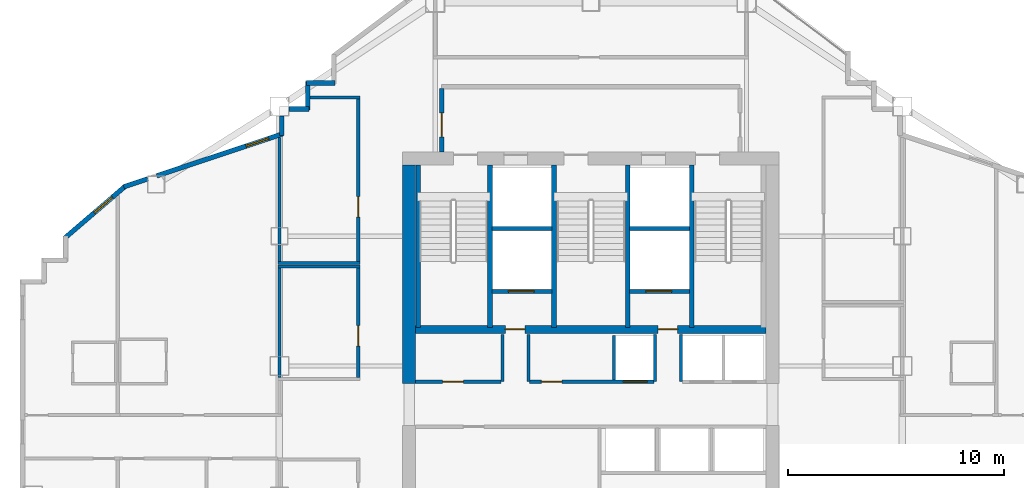
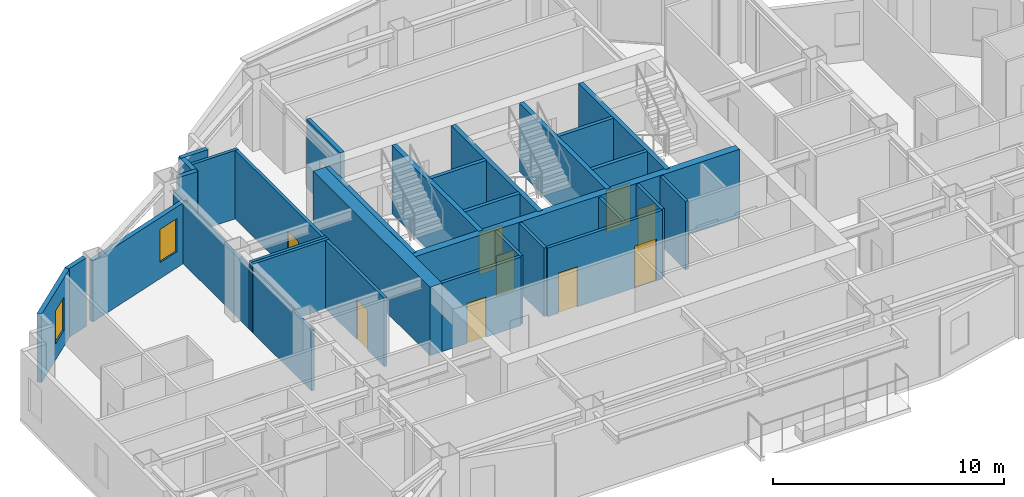
# One storey, part 6 of 11: 33 walls, 10 doors, 2 windows, 12 openings.
"""IFC4 building model written with IfcOpenShell, lengths in metres."""

from ifc_helpers import new_model, si_unit, direction, frame, frame_2d, origin, place, context, subcontext, project, spatial, rectangle, extrude, material, layer, layer_set, type_object, element, fill, save


model = new_model("IFC4")

# Units and contexts
model_context = context("Model", 3, precision=1e-05, world=origin(), true_north=direction((0.0, 1.0)))
body_context = subcontext(model_context, "Body", "Model", "MODEL_VIEW")
ifc_project = project(units=[si_unit("LENGTHUNIT", "METRE"), si_unit("AREAUNIT", "SQUARE_METRE"), si_unit("VOLUMEUNIT", "CUBIC_METRE"), si_unit("PLANEANGLEUNIT", "RADIAN"), si_unit("MASSUNIT", "GRAM", prefix="KILO")], contexts=[model_context])

# Site, building, storey
site_placement = place(None, origin())
site = spatial("IfcSite", under=ifc_project, at=site_placement, CompositionType="ELEMENT")
building_placement = place(site_placement, origin())
building = spatial("IfcBuilding", under=site, at=building_placement, Name="Haolan Belvedere Tower", CompositionType="ELEMENT")
storey_placement = place(building_placement, frame((0.0, 0.0, 199.39990234375)))
storey = spatial("IfcBuildingStorey", under=building, at=storey_placement, Name="L50", CompositionType="ELEMENT", Elevation=199.39990234375)

# Walls
ifc_material_1 = material(Name="Concrete C60/75", Category="concrete")
ifc_layer_1 = layer(ifc_material_1, 0.60009765625, Name="Concrete C60/75")
ifc_layer_set_1 = layer_set([ifc_layer_1], Name="Concrete C60/75")
wall_type_1 = type_object("IfcWallType", Name="WL-CORE-600", PredefinedType="SHEAR", material=ifc_layer_set_1)
wall_1_placement = place(storey_placement, frame((30.0, 32.800048828125, 0.0), z_axis=(0.0, 0.0, 1.0), x_axis=(0.0, 1.0, 0.0)))
element("IfcWall", 1, at=wall_1_placement, inside=storey, type_object=wall_type_1, Name="L50 central core shear wall WN", PredefinedType="SHEAR", context=body_context, shape_type="SweptSolid", body=[
    extrude(rectangle(XDim=10.099853515625, YDim=0.60009765625, at=frame_2d((5.0498046875, 0.0))), origin(), (0.0, 0.0, 1.0), 3.6201171875),
])
ifc_material_2 = material(Name="Precast concrete C40/50", Category="concrete")
ifc_layer_2 = layer(ifc_material_2, 0.219970703125, Name="Precast concrete C40/50")
ifc_layer_set_2 = layer_set([ifc_layer_2], Name="Precast concrete C40/50")
wall_type_2 = type_object("IfcWallType", Name="WL-EXT-220", PredefinedType="SOLIDWALL", material=ifc_layer_set_2)
for number, where, z_axis, x_axis, name in (
    (2, (26.56494140625, 46.68994140625, 0.0), (0.0, 0.0, 1.0), (-1.0, 0.0, 0.0), "L50 pale-metal exterior spandrel wall 25.1"),
    (3, (25.31005859375, 46.7451171875, 0.0), (0.0, 0.0, 1.0), (0.0, -1.0, 0.0), "L50 pale-metal exterior spandrel wall 26.1"),
):
    element("IfcWall", number, at=place(storey_placement, frame(where, z_axis=z_axis, x_axis=x_axis)), inside=storey, type_object=wall_type_2, Name=name, PredefinedType="SOLIDWALL", context=body_context, shape_type="SweptSolid", body=[
        extrude(rectangle(XDim=1.31005859375, YDim=0.219970703125, at=frame_2d((0.655029296875, 0.0))), origin(), (0.0, 0.0, 1.0), 3.6201171875),
    ])
wall_2_placement = place(storey_placement, frame((25.364990234375, 45.489990234375, 0.0), z_axis=(0.0, 0.0, 1.0), x_axis=(-1.0, 0.0, 0.0)))
element("IfcWall", 4, at=wall_2_placement, inside=storey, type_object=wall_type_2, Name="L50 pale-metal exterior spandrel wall 27.1", PredefinedType="SOLIDWALL", context=body_context, shape_type="SweptSolid", body=[
    extrude(rectangle(XDim=0.923095703125, YDim=0.219970703125, at=frame_2d((0.46142578125, 0.0))), origin(), (0.0, 0.0, 1.0), 3.6201171875),
])
wall_3_placement = place(storey_placement, frame((24.110107421875, 45.157958984375, 0.0), z_axis=(0.0, 0.0, 1.0), x_axis=(0.0, -1.0, 0.0)))
element("IfcWall", 5, at=wall_3_placement, inside=storey, type_object=wall_type_2, Name="L50 pale-metal exterior spandrel wall 28.1", PredefinedType="SOLIDWALL", context=body_context, shape_type="SweptSolid", body=[
    extrude(rectangle(XDim=0.892333984375, YDim=0.219970703125, at=frame_2d((0.4462890625, 0.0))), origin(), (0.0, 0.0, 1.0), 3.215087890625),
])

# Wall, opening, window
wall_4_placement = place(storey_placement, frame((24.162109375, 44.338134765625, 0.0), z_axis=(0.0, 0.0, 1.0), x_axis=(-0.948687265055, -0.316215864755, 0.0)))
wall_4 = element("IfcWall", 6, at=wall_4_placement, inside=storey, type_object=wall_type_2, Name="L50 pale-metal exterior spandrel wall 29.1", PredefinedType="SOLIDWALL", context=body_context, shape_type="SweptSolid", body=[
    extrude(rectangle(XDim=6.154052734375, YDim=0.219970703125, at=frame_2d((3.0771484375, 0.0))), origin(), (0.0, 0.0, 1.0), 3.215087890625),
])
opening_1_placement = place(wall_4_placement, frame((0.699951171875, 0.0, 0.85009765625)))
opening_1 = element("IfcOpeningElement", 7, at=opening_1_placement, cuts=wall_4, Name="Opening W-03", PredefinedType="OPENING", context=body_context, shape_type="SweptSolid", body=[
    extrude(rectangle(XDim=1.10009765625, YDim=1.75, at=frame_2d((0.550048828125, 0.875))), frame((0.0, 0.119873046875, 0.0), z_axis=(0.0, -1.0, 0.0), x_axis=(1.0, 0.0, 0.0)), (0.0, 0.0, 1.0), 0.239990234375),
])
ifc_material_3 = material(Name="Anodised aluminium 6063-T6 and Low-E glass", Category="aluminium")
window_type = type_object("IfcWindowType", Name="WN-DECO-Z3", PartitioningType="SINGLE_PANEL", PredefinedType="WINDOW", material=ifc_material_3)
window_1_placement = place(opening_1_placement, origin())
window_1 = element("IfcWindow", 8, at=window_1_placement, inside=storey, type_object=window_type, Name="L50 Art Deco chevron window 1", OverallHeight=1.75, OverallWidth=1.10009765625, PartitioningType="SINGLE_PANEL", PredefinedType="WINDOW", context=body_context, shape_type="SweptSolid", body=[
    extrude(rectangle(XDim=1.10009765625, YDim=1.75, at=frame_2d((0.550048828125, 0.875))), frame((0.0, 0.030029296875, 0.0), z_axis=(0.0, -1.0, 0.0), x_axis=(1.0, 0.0, 0.0)), (0.0, 0.0, 1.0), 0.06005859375),
])
fill(opening_1, window_1)

# Wall
wall_5_placement = place(storey_placement, frame((17.907958984375, 42.25341796875, 0.0), z_axis=(0.0, 0.0, 1.0), x_axis=(-0.948662335685, -0.316290646166, 0.0)))
element("IfcWall", 9, at=wall_5_placement, inside=storey, type_object=wall_type_2, Name="L50 pale-metal exterior spandrel wall 29.2", PredefinedType="SOLIDWALL", context=body_context, shape_type="SweptSolid", body=[
    extrude(rectangle(XDim=1.164794921875, YDim=0.219970703125, at=frame_2d((0.58251953125, 0.0))), origin(), (0.0, 0.0, 1.0), 3.6201171875),
])

# Wall, opening, window
wall_6_placement = place(storey_placement, frame((16.89697265625, 41.938232421875, 0.0), z_axis=(0.0, 0.0, 1.0), x_axis=(-0.759279729622, -0.650764390686, 0.0)))
wall_6 = element("IfcWall", 10, at=wall_6_placement, inside=storey, type_object=wall_type_2, Name="L50 pale-metal exterior spandrel wall 30.1", PredefinedType="SOLIDWALL", context=body_context, shape_type="SweptSolid", body=[
    extrude(rectangle(XDim=3.725830078125, YDim=0.219970703125, at=frame_2d((1.86279296875, 0.0))), origin(), (0.0, 0.0, 1.0), 3.6201171875),
])
opening_2_placement = place(wall_6_placement, frame((0.819091796875, 0.0, 0.85009765625)))
opening_2 = element("IfcOpeningElement", 11, at=opening_2_placement, cuts=wall_6, Name="Opening W-03", PredefinedType="OPENING", context=body_context, shape_type="SweptSolid", body=[
    extrude(rectangle(XDim=1.10009765625, YDim=1.75, at=frame_2d((0.550048828125, 0.875))), frame((0.0, 0.119873046875, 0.0), z_axis=(0.0, -1.0, 0.0), x_axis=(1.0, 0.0, 0.0)), (0.0, 0.0, 1.0), 0.239990234375),
])
window_2_placement = place(opening_2_placement, origin())
window_2 = element("IfcWindow", 12, at=window_2_placement, inside=storey, type_object=window_type, Name="L50 Art Deco chevron window 1", OverallHeight=1.75, OverallWidth=1.10009765625, PartitioningType="SINGLE_PANEL", PredefinedType="WINDOW", context=body_context, shape_type="SweptSolid", body=[
    extrude(rectangle(XDim=1.10009765625, YDim=1.75, at=frame_2d((0.550048828125, 0.875))), frame((0.0, 0.030029296875, 0.0), z_axis=(0.0, -1.0, 0.0), x_axis=(1.0, 0.0, 0.0)), (0.0, 0.0, 1.0), 0.06005859375),
])
fill(opening_2, window_2)

# Wall, opening, door
ifc_material_4 = material(Name="Concrete C40/50", Category="concrete")
ifc_layer_3 = layer(ifc_material_4, 0.199951171875, Name="Concrete C40/50")
ifc_layer_set_3 = layer_set([ifc_layer_3], Name="Concrete C40/50")
wall_type_3 = type_object("IfcWallType", Name="WL-FIRE-200", PredefinedType="SOLIDWALL", material=ifc_layer_set_3)
wall_7_placement = place(storey_placement, frame((31.5, 43.5, 0.0), z_axis=(0.0, 0.0, 1.0), x_axis=(0.0, 1.0, 0.0)))
wall_7 = element("IfcWall", 13, at=wall_7_placement, inside=storey, type_object=wall_type_3, Name="L50 interior partition IW-L50-FFL-W", PredefinedType="SOLIDWALL", context=body_context, shape_type="SweptSolid", body=[
    extrude(rectangle(XDim=2.93505859375, YDim=0.199951171875, at=frame_2d((1.467529296875, 0.0))), origin(), (0.0, 0.0, 1.0), 3.6201171875),
])
opening_3_placement = place(wall_7_placement, frame((1.800048828125, 0.0, 0.0), z_axis=(0.0, 0.0, 1.0), x_axis=(-1.0, 0.0, 0.0)))
opening_3 = element("IfcOpeningElement", 14, at=opening_3_placement, cuts=wall_7, Name="Opening FD-03", PredefinedType="OPENING", context=body_context, shape_type="SweptSolid", body=[
    extrude(rectangle(XDim=1.10009765625, YDim=2.14990234375, at=frame_2d((0.550048828125, 1.074951171875))), frame((0.0, 0.10986328125, 0.0), z_axis=(0.0, -1.0, 0.0), x_axis=(1.0, 0.0, 0.0)), (0.0, 0.0, 1.0), 0.219970703125),
])
ifc_material_5 = material(Name="Galvanised fire-rated steel", Category="steel")
door_type_1 = type_object("IfcDoorType", Name="DR-FD90-1100", OperationType="NOTDEFINED", PredefinedType="DOOR", material=ifc_material_5)
door_1_placement = place(opening_3_placement, origin())
door_1 = element("IfcDoor", 15, at=door_1_placement, inside=storey, type_object=door_type_1, Name="L50 door ID-L50-FFL-DW", OperationType="SINGLE_SWING_LEFT", OverallHeight=2.14990234375, OverallWidth=1.10009765625, PredefinedType="DOOR", context=body_context, shape_type="SweptSolid", body=[
    extrude(rectangle(XDim=1.10009765625, YDim=2.14990234375, at=frame_2d((0.550048828125, 1.074951171875))), frame((0.0, 0.02490234375, 0.0), z_axis=(0.0, -1.0, 0.0), x_axis=(1.0, 0.0, 0.0)), (0.0, 0.0, 1.0), 0.050048828125),
])
fill(opening_3, door_1)

# Walls
ifc_material_6 = material(Name="Double gypsum acoustic stud partition", Category="masonry")
ifc_layer_4 = layer(ifc_material_6, 0.14990234375, Name="Double gypsum acoustic stud partition")
ifc_layer_set_4 = layer_set([ifc_layer_4], Name="Double gypsum acoustic stud partition")
wall_type_4 = type_object("IfcWallType", Name="WL-PART-150", PredefinedType="PARTITIONING", material=ifc_layer_set_4)
wall_8_placement = place(storey_placement, frame((23.919921875, 38.199951171875, 0.0), z_axis=(0.0, 0.0, 1.0), x_axis=(1.0, 0.0, 0.0)))
element("IfcWall", 16, at=wall_8_placement, inside=storey, type_object=wall_type_4, Name="L50 interior partition IW-L50-HSK-N", PredefinedType="PARTITIONING", context=body_context, shape_type="SweptSolid", body=[
    extrude(rectangle(XDim=3.800048828125, YDim=0.14990234375, at=frame_2d((1.89990234375, 0.0))), origin(), (0.0, 0.0, 1.0), 3.6201171875),
])
wall_9_placement = place(storey_placement, frame((24.0, 33.06005859375, 0.0), z_axis=(0.0, 0.0, 1.0), x_axis=(0.0, 1.0, 0.0)))
element("IfcWall", 17, at=wall_9_placement, inside=storey, type_object=wall_type_4, Name="L50 interior partition IW-L50-HSK-W", PredefinedType="PARTITIONING", context=body_context, shape_type="SweptSolid", body=[
    extrude(rectangle(XDim=5.079833984375, YDim=0.14990234375, at=frame_2d((2.5400390625, 0.0))), origin(), (0.0, 0.0, 1.0), 3.215087890625),
])

# Wall, opening, door
wall_10_placement = place(storey_placement, frame((27.639892578125, 33.06005859375, 0.0), z_axis=(0.0, 0.0, 1.0), x_axis=(0.0, 1.0, 0.0)))
wall_10 = element("IfcWall", 18, at=wall_10_placement, inside=storey, type_object=wall_type_4, Name="L50 interior partition IW-L50-HSK-E", PredefinedType="PARTITIONING", context=body_context, shape_type="SweptSolid", body=[
    extrude(rectangle(XDim=5.079833984375, YDim=0.14990234375, at=frame_2d((2.5400390625, 0.0))), origin(), (0.0, 0.0, 1.0), 3.6201171875),
])
opening_4_placement = place(wall_10_placement, frame((2.409912109375, 0.0, 0.0), z_axis=(0.0, 0.0, 1.0), x_axis=(-1.0, 0.0, 0.0)))
opening_4 = element("IfcOpeningElement", 19, at=opening_4_placement, cuts=wall_10, Name="Opening ID-03", PredefinedType="OPENING", context=body_context, shape_type="SweptSolid", body=[
    extrude(rectangle(XDim=0.949951171875, YDim=2.1201171875, at=frame_2d((0.47509765625, 1.06005859375))), frame((0.0, 0.0849609375, 0.0), z_axis=(0.0, -1.0, 0.0), x_axis=(1.0, 0.0, 0.0)), (0.0, 0.0, 1.0), 0.169921875),
])
ifc_material_7 = material(Name="Painted solid-core timber", Category="wood")
door_type_2 = type_object("IfcDoorType", Name="DR-INT-950", OperationType="NOTDEFINED", PredefinedType="DOOR", material=ifc_material_7)
door_2_placement = place(opening_4_placement, origin())
door_2 = element("IfcDoor", 20, at=door_2_placement, inside=storey, type_object=door_type_2, Name="L50 door ID-L50-HSK", OperationType="SINGLE_SWING_LEFT", OverallHeight=2.1201171875, OverallWidth=0.949951171875, PredefinedType="DOOR", context=body_context, shape_type="SweptSolid", body=[
    extrude(rectangle(XDim=0.949951171875, YDim=2.1201171875, at=frame_2d((0.47509765625, 1.06005859375))), frame((0.0, 0.02490234375, 0.0), z_axis=(0.0, -1.0, 0.0), x_axis=(1.0, 0.0, 0.0)), (0.0, 0.0, 1.0), 0.050048828125),
])
fill(opening_4, door_2)

# Walls
wall_11_placement = place(storey_placement, frame((25.412109375, 46.02001953125, 0.0), z_axis=(0.0, 0.0, 1.0), x_axis=(1.0, 0.0, 0.0)))
element("IfcWall", 21, at=wall_11_placement, inside=storey, type_object=wall_type_4, Name="L50 interior partition IW-L50-VLT-N", PredefinedType="PARTITIONING", context=body_context, shape_type="SweptSolid", body=[
    extrude(rectangle(XDim=2.307861328125, YDim=0.14990234375, at=frame_2d((1.15380859375, 0.0))), origin(), (0.0, 0.0, 1.0), 3.6201171875),
])
wall_12_placement = place(storey_placement, frame((23.919921875, 38.360107421875, 0.0), z_axis=(0.0, 0.0, 1.0), x_axis=(1.0, 0.0, 0.0)))
element("IfcWall", 22, at=wall_12_placement, inside=storey, type_object=wall_type_4, Name="L50 interior partition IW-L50-VLT-S", PredefinedType="PARTITIONING", context=body_context, shape_type="SweptSolid", body=[
    extrude(rectangle(XDim=3.800048828125, YDim=0.14990234375, at=frame_2d((1.89990234375, 0.0))), origin(), (0.0, 0.0, 1.0), 3.6201171875),
])
wall_13_placement = place(storey_placement, frame((24.0, 38.419921875, 0.0), z_axis=(0.0, 0.0, 1.0), x_axis=(0.0, 1.0, 0.0)))
element("IfcWall", 23, at=wall_13_placement, inside=storey, type_object=wall_type_4, Name="L50 interior partition IW-L50-VLT-W", PredefinedType="PARTITIONING", context=body_context, shape_type="SweptSolid", body=[
    extrude(rectangle(XDim=5.756591796875, YDim=0.14990234375, at=frame_2d((2.87841796875, 0.0))), origin(), (0.0, 0.0, 1.0), 3.215087890625),
])

# Wall, opening, door
wall_14_placement = place(storey_placement, frame((27.639892578125, 38.419921875, 0.0), z_axis=(0.0, 0.0, 1.0), x_axis=(0.0, 1.0, 0.0)))
wall_14 = element("IfcWall", 24, at=wall_14_placement, inside=storey, type_object=wall_type_4, Name="L50 interior partition IW-L50-VLT-E", PredefinedType="PARTITIONING", context=body_context, shape_type="SweptSolid", body=[
    extrude(rectangle(XDim=7.5400390625, YDim=0.14990234375, at=frame_2d((3.77001953125, 0.0))), origin(), (0.0, 0.0, 1.0), 3.6201171875),
])
opening_5_placement = place(wall_14_placement, frame((3.010009765625, 0.0, 0.0), z_axis=(0.0, 0.0, 1.0), x_axis=(-1.0, 0.0, 0.0)))
opening_5 = element("IfcOpeningElement", 25, at=opening_5_placement, cuts=wall_14, Name="Opening ID-03", PredefinedType="OPENING", context=body_context, shape_type="SweptSolid", body=[
    extrude(rectangle(XDim=0.949951171875, YDim=2.1201171875, at=frame_2d((0.47509765625, 1.06005859375))), frame((0.0, 0.0849609375, 0.0), z_axis=(0.0, -1.0, 0.0), x_axis=(1.0, 0.0, 0.0)), (0.0, 0.0, 1.0), 0.169921875),
])
door_3_placement = place(opening_5_placement, origin())
door_3 = element("IfcDoor", 26, at=door_3_placement, inside=storey, type_object=door_type_2, Name="L50 door ID-L50-VLT", OperationType="SINGLE_SWING_RIGHT", OverallHeight=2.1201171875, OverallWidth=0.949951171875, PredefinedType="DOOR", context=body_context, shape_type="SweptSolid", body=[
    extrude(rectangle(XDim=0.949951171875, YDim=2.1201171875, at=frame_2d((0.47509765625, 1.06005859375))), frame((0.0, 0.02490234375, 0.0), z_axis=(0.0, -1.0, 0.0), x_axis=(1.0, 0.0, 0.0)), (0.0, 0.0, 1.0), 0.050048828125),
])
fill(opening_5, door_3)

# Walls
ifc_material_8 = material(Name="Gypsum fire shaftwall assembly", Category="masonry")
ifc_layer_5 = layer(ifc_material_8, 0.1650390625, Name="Gypsum fire shaftwall assembly")
ifc_layer_set_5 = layer_set([ifc_layer_5], Name="Gypsum fire shaftwall assembly")
wall_type_5 = type_object("IfcWallType", Name="WL-SHAFT-160", PredefinedType="SOLIDWALL", material=ifc_layer_set_5)
for number, where, z_axis, x_axis, name in (
    (27, (34.31005859375, 32.8798828125, 0.0), (0.0, 0.0, 1.0), (0.0, 1.0, 0.0), "L50 interior partition IW-L50-SVP-W-SV1"),
    (28, (35.510009765625, 32.8798828125, 0.0), (0.0, 0.0, 1.0), (0.0, 1.0, 0.0), "L50 interior partition IW-L50-SVP-E-SV1"),
    (29, (41.3701171875, 32.8798828125, 0.0), (0.0, 0.0, 1.0), (0.0, 1.0, 0.0), "L50 interior partition IW-L50-SVP-W-SV2"),
    (30, (42.570068359375, 32.8798828125, 0.0), (0.0, 0.0, 1.0), (0.0, 1.0, 0.0), "L50 interior partition IW-L50-SVP-E-SV2"),
):
    element("IfcWall", number, at=place(storey_placement, frame(where, z_axis=z_axis, x_axis=x_axis)), inside=storey, type_object=wall_type_5, Name=name, PredefinedType="SOLIDWALL", context=body_context, shape_type="SweptSolid", body=[
        extrude(rectangle(XDim=2.170166015625, YDim=0.14990234375, at=frame_2d((1.0849609375, 0.0))), origin(), (0.0, 0.0, 1.0), 3.6201171875),
    ])

# Wall, opening, door
wall_15_placement = place(storey_placement, frame((30.300048828125, 32.8798828125, 0.0), z_axis=(0.0, 0.0, 1.0), x_axis=(1.0, 0.0, 0.0)))
wall_15 = element("IfcWall", 31, at=wall_15_placement, inside=storey, type_object=wall_type_5, Name="L50 interior partition IW-L50-ROW-PN1", PredefinedType="SOLIDWALL", context=body_context, shape_type="SweptSolid", body=[
    extrude(rectangle(XDim=3.949951171875, YDim=0.159912109375, at=frame_2d((1.97509765625, 0.0))), origin(), (0.0, 0.0, 1.0), 3.6201171875),
])
opening_6_placement = place(wall_15_placement, frame((2.199951171875, 0.0, 0.0), z_axis=(0.0, 0.0, 1.0), x_axis=(-1.0, 0.0, 0.0)))
opening_6 = element("IfcOpeningElement", 32, at=opening_6_placement, cuts=wall_15, Name="Opening ID-03", PredefinedType="OPENING", context=body_context, shape_type="SweptSolid", body=[
    extrude(rectangle(XDim=0.949951171875, YDim=2.1201171875, at=frame_2d((0.47509765625, 1.06005859375))), frame((0.0, 0.08984375, 0.0), z_axis=(0.0, -1.0, 0.0), x_axis=(1.0, 0.0, 0.0)), (0.0, 0.0, 1.0), 0.179931640625),
])
door_4_placement = place(opening_6_placement, origin())
door_4 = element("IfcDoor", 33, at=door_4_placement, inside=storey, type_object=door_type_2, Name="L50 door ID-L50-CD-RPLW", OperationType="SINGLE_SWING_LEFT", OverallHeight=2.1201171875, OverallWidth=0.949951171875, PredefinedType="DOOR", context=body_context, shape_type="SweptSolid", body=[
    extrude(rectangle(XDim=0.949951171875, YDim=2.1201171875, at=frame_2d((0.47509765625, 1.06005859375))), frame((0.0, 0.02490234375, 0.0), z_axis=(0.0, -1.0, 0.0), x_axis=(1.0, 0.0, 0.0)), (0.0, 0.0, 1.0), 0.050048828125),
])
fill(opening_6, door_4)

# Wall, openings, doors
wall_16_placement = place(storey_placement, frame((35.570068359375, 32.8798828125, 0.0), z_axis=(0.0, 0.0, 1.0), x_axis=(1.0, 0.0, 0.0)))
wall_16 = element("IfcWall", 34, at=wall_16_placement, inside=storey, type_object=wall_type_5, Name="L50 interior partition IW-L50-ROW-PN2", PredefinedType="SOLIDWALL", context=body_context, shape_type="SweptSolid", body=[
    extrude(rectangle(XDim=5.739990234375, YDim=0.159912109375, at=frame_2d((2.8701171875, 0.0))), origin(), (0.0, 0.0, 1.0), 3.6201171875),
])
opening_7_placement = place(wall_16_placement, frame((1.489990234375, 0.0, 0.0), z_axis=(0.0, 0.0, 1.0), x_axis=(-1.0, 0.0, 0.0)))
opening_7 = element("IfcOpeningElement", 35, at=opening_7_placement, cuts=wall_16, Name="Opening ID-03", PredefinedType="OPENING", context=body_context, shape_type="SweptSolid", body=[
    extrude(rectangle(XDim=0.949951171875, YDim=2.1201171875, at=frame_2d((0.47509765625, 1.06005859375))), frame((0.0, 0.08984375, 0.0), z_axis=(0.0, -1.0, 0.0), x_axis=(1.0, 0.0, 0.0)), (0.0, 0.0, 1.0), 0.179931640625),
])
opening_8_placement = place(wall_16_placement, frame((5.43017578125, 0.0, 0.0), z_axis=(0.0, 0.0, 1.0), x_axis=(-1.0, 0.0, 0.0)))
opening_8 = element("IfcOpeningElement", 36, at=opening_8_placement, cuts=wall_16, Name="Opening LD-01", PredefinedType="OPENING", context=body_context, shape_type="SweptSolid", body=[
    extrude(rectangle(XDim=1.10009765625, YDim=2.199951171875, at=frame_2d((0.550048828125, 1.10009765625))), frame((0.0, 0.08984375, 0.0), z_axis=(0.0, -1.0, 0.0), x_axis=(1.0, 0.0, 0.0)), (0.0, 0.0, 1.0), 0.179931640625),
])
door_5_placement = place(opening_7_placement, origin())
door_5 = element("IfcDoor", 37, at=door_5_placement, inside=storey, type_object=door_type_2, Name="L50 door ID-L50-CD-RPLE", OperationType="SINGLE_SWING_RIGHT", OverallHeight=2.1201171875, OverallWidth=0.949951171875, PredefinedType="DOOR", context=body_context, shape_type="SweptSolid", body=[
    extrude(rectangle(XDim=0.949951171875, YDim=2.1201171875, at=frame_2d((0.47509765625, 1.06005859375))), frame((0.0, 0.02490234375, 0.0), z_axis=(0.0, -1.0, 0.0), x_axis=(1.0, 0.0, 0.0)), (0.0, 0.0, 1.0), 0.050048828125),
])
fill(opening_7, door_5)
ifc_material_9 = material(Name="Brushed champagne stainless steel 316L", Category="steel")
door_type_3 = type_object("IfcDoorType", Name="DR-LIFT-1100", OperationType="SLIDING_TO_LEFT", PredefinedType="DOOR", material=ifc_material_9)
door_6_placement = place(opening_8_placement, origin())
door_6 = element("IfcDoor", 38, at=door_6_placement, inside=storey, type_object=door_type_3, Name="L50 door ID-L50-LD-PH1", OperationType="SLIDING_TO_RIGHT", OverallHeight=2.199951171875, OverallWidth=1.10009765625, PredefinedType="DOOR", context=body_context, shape_type="SweptSolid", body=[
    extrude(rectangle(XDim=1.10009765625, YDim=2.199951171875, at=frame_2d((0.550048828125, 1.10009765625))), frame((0.0, 0.02490234375, 0.0), z_axis=(0.0, -1.0, 0.0), x_axis=(1.0, 0.0, 0.0)), (0.0, 0.0, 1.0), 0.050048828125),
])
fill(opening_8, door_6)

# Walls
wall_17_placement = place(storey_placement, frame((39.469970703125, 32.949951171875, 0.0), z_axis=(0.0, 0.0, 1.0), x_axis=(0.0, 1.0, 0.0)))
element("IfcWall", 39, at=wall_17_placement, inside=storey, type_object=wall_type_5, Name="L50 interior partition IW-L50-DIV-PL4R", PredefinedType="SOLIDWALL", context=body_context, shape_type="SweptSolid", body=[
    extrude(rectangle(XDim=2.050048828125, YDim=0.14990234375, at=frame_2d((1.02490234375, 0.0))), origin(), (0.0, 0.0, 1.0), 3.6201171875),
])
ifc_layer_6 = layer(ifc_material_2, 0.179931640625, Name="Precast concrete C40/50")
ifc_layer_set_6 = layer_set([ifc_layer_6], Name="Precast concrete C40/50")
wall_type_6 = type_object("IfcWallType", Name="WL-SHAFT-180", PredefinedType="SOLIDWALL", material=ifc_layer_set_6)
for number, where, z_axis, x_axis, name in (
    (40, (33.8349609375, 39.949951171875, 0.0), (0.0, 0.0, 1.0), (1.0, 0.0, 0.0), "L50 interior partition IW-L50-FF1-S"),
    (41, (40.195068359375, 39.949951171875, 0.0), (0.0, 0.0, 1.0), (1.0, 0.0, 0.0), "L50 interior partition IW-L50-FF2-S"),
):
    element("IfcWall", number, at=place(storey_placement, frame(where, z_axis=z_axis, x_axis=x_axis)), inside=storey, type_object=wall_type_6, Name=name, PredefinedType="SOLIDWALL", context=body_context, shape_type="SweptSolid", body=[
        extrude(rectangle(XDim=2.77001953125, YDim=0.179931640625, at=frame_2d((1.385009765625, 0.0))), origin(), (0.0, 0.0, 1.0), 3.6201171875),
    ])

# Wall, opening, door
wall_18_placement = place(storey_placement, frame((33.8349609375, 37.050048828125, 0.0), z_axis=(0.0, 0.0, 1.0), x_axis=(1.0, 0.0, 0.0)))
wall_18 = element("IfcWall", 42, at=wall_18_placement, inside=storey, type_object=wall_type_6, Name="L50 interior partition IW-L50-SV1-S", PredefinedType="SOLIDWALL", context=body_context, shape_type="SweptSolid", body=[
    extrude(rectangle(XDim=2.77001953125, YDim=0.179931640625, at=frame_2d((1.385009765625, 0.0))), origin(), (0.0, 0.0, 1.0), 3.6201171875),
])
opening_9_placement = place(wall_18_placement, frame((1.945068359375, 0.0, 0.0), z_axis=(0.0, 0.0, 1.0), x_axis=(-1.0, 0.0, 0.0)))
opening_9 = element("IfcOpeningElement", 43, at=opening_9_placement, cuts=wall_18, Name="Opening LD-02", PredefinedType="OPENING", context=body_context, shape_type="SweptSolid", body=[
    extrude(rectangle(XDim=1.199951171875, YDim=2.199951171875, at=frame_2d((0.60009765625, 1.10009765625))), frame((0.0, 0.099853515625, 0.0), z_axis=(0.0, -1.0, 0.0), x_axis=(1.0, 0.0, 0.0)), (0.0, 0.0, 1.0), 0.199951171875),
])
door_type_4 = type_object("IfcDoorType", Name="DR-LIFT-1200", OperationType="SLIDING_TO_RIGHT", PredefinedType="DOOR", material=ifc_material_9)
door_7_placement = place(opening_9_placement, origin())
door_7 = element("IfcDoor", 44, at=door_7_placement, inside=storey, type_object=door_type_4, Name="L50 door ID-L50-LD-SV1", OperationType="SLIDING_TO_RIGHT", OverallHeight=2.199951171875, OverallWidth=1.199951171875, PredefinedType="DOOR", context=body_context, shape_type="SweptSolid", body=[
    extrude(rectangle(XDim=1.199951171875, YDim=2.199951171875, at=frame_2d((0.60009765625, 1.10009765625))), frame((0.0, 0.02490234375, 0.0), z_axis=(0.0, -1.0, 0.0), x_axis=(1.0, 0.0, 0.0)), (0.0, 0.0, 1.0), 0.050048828125),
])
fill(opening_9, door_7)

wall_19_placement = place(storey_placement, frame((40.195068359375, 37.050048828125, 0.0), z_axis=(0.0, 0.0, 1.0), x_axis=(1.0, 0.0, 0.0)))
wall_19 = element("IfcWall", 45, at=wall_19_placement, inside=storey, type_object=wall_type_6, Name="L50 interior partition IW-L50-SV2-S", PredefinedType="SOLIDWALL", context=body_context, shape_type="SweptSolid", body=[
    extrude(rectangle(XDim=2.77001953125, YDim=0.179931640625, at=frame_2d((1.385009765625, 0.0))), origin(), (0.0, 0.0, 1.0), 3.6201171875),
])
opening_10_placement = place(wall_19_placement, frame((1.945068359375, 0.0, 0.0), z_axis=(0.0, 0.0, 1.0), x_axis=(-1.0, 0.0, 0.0)))
opening_10 = element("IfcOpeningElement", 46, at=opening_10_placement, cuts=wall_19, Name="Opening LD-02", PredefinedType="OPENING", context=body_context, shape_type="SweptSolid", body=[
    extrude(rectangle(XDim=1.199951171875, YDim=2.199951171875, at=frame_2d((0.60009765625, 1.10009765625))), frame((0.0, 0.099853515625, 0.0), z_axis=(0.0, -1.0, 0.0), x_axis=(1.0, 0.0, 0.0)), (0.0, 0.0, 1.0), 0.199951171875),
])
door_8_placement = place(opening_10_placement, origin())
door_8 = element("IfcDoor", 47, at=door_8_placement, inside=storey, type_object=door_type_4, Name="L50 door ID-L50-LD-SV2", OperationType="SLIDING_TO_RIGHT", OverallHeight=2.199951171875, OverallWidth=1.199951171875, PredefinedType="DOOR", context=body_context, shape_type="SweptSolid", body=[
    extrude(rectangle(XDim=1.199951171875, YDim=2.199951171875, at=frame_2d((0.60009765625, 1.10009765625))), frame((0.0, 0.02490234375, 0.0), z_axis=(0.0, -1.0, 0.0), x_axis=(1.0, 0.0, 0.0)), (0.0, 0.0, 1.0), 0.050048828125),
])
fill(opening_10, door_8)

# Walls
ifc_material_10 = material(Name="Concrete C50/60", Category="concrete")
ifc_layer_7 = layer(ifc_material_10, 0.219970703125, Name="Concrete C50/60")
ifc_layer_set_7 = layer_set([ifc_layer_7], Name="Concrete C50/60")
wall_type_7 = type_object("IfcWallType", Name="WL-STAIR-220", PredefinedType="SHEAR", material=ifc_layer_set_7)
for number, where, z_axis, x_axis, name in (
    (48, (30.412109375, 35.389892578125, 0.0), (0.0, 0.0, 1.0), (0.0, 1.0, 0.0), "L50 structural stair core wall ST1W"),
    (49, (33.739990234375, 35.389892578125, 0.0), (0.0, 0.0, 1.0), (0.0, 1.0, 0.0), "L50 structural stair core wall ST1E"),
    (50, (36.699951171875, 35.389892578125, 0.0), (0.0, 0.0, 1.0), (0.0, 1.0, 0.0), "L50 structural stair core wall ST3W"),
    (51, (40.10009765625, 35.389892578125, 0.0), (0.0, 0.0, 1.0), (0.0, 1.0, 0.0), "L50 structural stair core wall ST3E"),
    (52, (43.06005859375, 35.389892578125, 0.0), (0.0, 0.0, 1.0), (0.0, 1.0, 0.0), "L50 structural stair core wall ST2W"),
):
    element("IfcWall", number, at=place(storey_placement, frame(where, z_axis=z_axis, x_axis=x_axis)), inside=storey, type_object=wall_type_7, Name=name, PredefinedType="SHEAR", context=body_context, shape_type="SweptSolid", body=[
        extrude(rectangle(XDim=7.510009765625, YDim=0.219970703125, at=frame_2d((3.7548828125, 0.0))), origin(), (0.0, 0.0, 1.0), 3.6201171875),
    ])

# Wall, openings, doors
ifc_layer_8 = layer(ifc_material_1, 0.360107421875, Name="Concrete C60/75")
ifc_layer_set_8 = layer_set([ifc_layer_8], Name="Concrete C60/75")
wall_type_8 = type_object("IfcWallType", Name="WL-WEB-350", PredefinedType="SHEAR", material=ifc_layer_set_8)
wall_20_placement = place(storey_placement, frame((30.300048828125, 35.2900390625, 0.0), z_axis=(0.0, 0.0, 1.0), x_axis=(1.0, 0.0, 0.0)))
wall_20 = element("IfcWall", 53, at=wall_20_placement, inside=storey, type_object=wall_type_8, Name="L50 central core internal shear web", PredefinedType="SHEAR", context=body_context, shape_type="SweptSolid", body=[
    extrude(rectangle(XDim=16.199951171875, YDim=0.360107421875, at=frame_2d((8.10009765625, 0.0))), origin(), (0.0, 0.0, 1.0), 3.6201171875),
])
opening_11_placement = place(wall_20_placement, frame((5.0498046875, 0.0, 0.0), z_axis=(0.0, 0.0, 1.0), x_axis=(-1.0, 0.0, 0.0)))
opening_11 = element("IfcOpeningElement", 54, at=opening_11_placement, cuts=wall_20, Name="Opening FD-05", PredefinedType="OPENING", context=body_context, shape_type="SweptSolid", body=[
    extrude(rectangle(XDim=0.89990234375, YDim=2.10009765625, at=frame_2d((0.449951171875, 1.050048828125))), frame((0.0, 0.18994140625, 0.0), z_axis=(0.0, -1.0, 0.0), x_axis=(1.0, 0.0, 0.0)), (0.0, 0.0, 1.0), 0.380126953125),
])
opening_12_placement = place(wall_20_placement, frame((12.10986328125, 0.0, 0.0), z_axis=(0.0, 0.0, 1.0), x_axis=(-1.0, 0.0, 0.0)))
opening_12 = element("IfcOpeningElement", 55, at=opening_12_placement, cuts=wall_20, Name="Opening FD-05", PredefinedType="OPENING", context=body_context, shape_type="SweptSolid", body=[
    extrude(rectangle(XDim=0.89990234375, YDim=2.10009765625, at=frame_2d((0.449951171875, 1.050048828125))), frame((0.0, 0.18994140625, 0.0), z_axis=(0.0, -1.0, 0.0), x_axis=(1.0, 0.0, 0.0)), (0.0, 0.0, 1.0), 0.380126953125),
])
door_type_5 = type_object("IfcDoorType", Name="DR-FD60-900", OperationType="NOTDEFINED", PredefinedType="DOOR", material=ifc_material_5)
door_9_placement = place(opening_11_placement, origin())
door_9 = element("IfcDoor", 56, at=door_9_placement, inside=storey, type_object=door_type_5, Name="L50 door CD-L50-SVL-SV1", OperationType="SINGLE_SWING_RIGHT", OverallHeight=2.10009765625, OverallWidth=0.89990234375, PredefinedType="DOOR", context=body_context, shape_type="SweptSolid", body=[
    extrude(rectangle(XDim=0.89990234375, YDim=2.10009765625, at=frame_2d((0.449951171875, 1.050048828125))), frame((0.0, 0.02490234375, 0.0), z_axis=(0.0, -1.0, 0.0), x_axis=(1.0, 0.0, 0.0)), (0.0, 0.0, 1.0), 0.050048828125),
])
fill(opening_11, door_9)
door_10_placement = place(opening_12_placement, origin())
door_10 = element("IfcDoor", 57, at=door_10_placement, inside=storey, type_object=door_type_5, Name="L50 door CD-L50-SVL-SV2", OperationType="SINGLE_SWING_RIGHT", OverallHeight=2.10009765625, OverallWidth=0.89990234375, PredefinedType="DOOR", context=body_context, shape_type="SweptSolid", body=[
    extrude(rectangle(XDim=0.89990234375, YDim=2.10009765625, at=frame_2d((0.449951171875, 1.050048828125))), frame((0.0, 0.02490234375, 0.0), z_axis=(0.0, -1.0, 0.0), x_axis=(1.0, 0.0, 0.0)), (0.0, 0.0, 1.0), 0.050048828125),
])
fill(opening_12, door_10)

save(model, "model.ifc")
